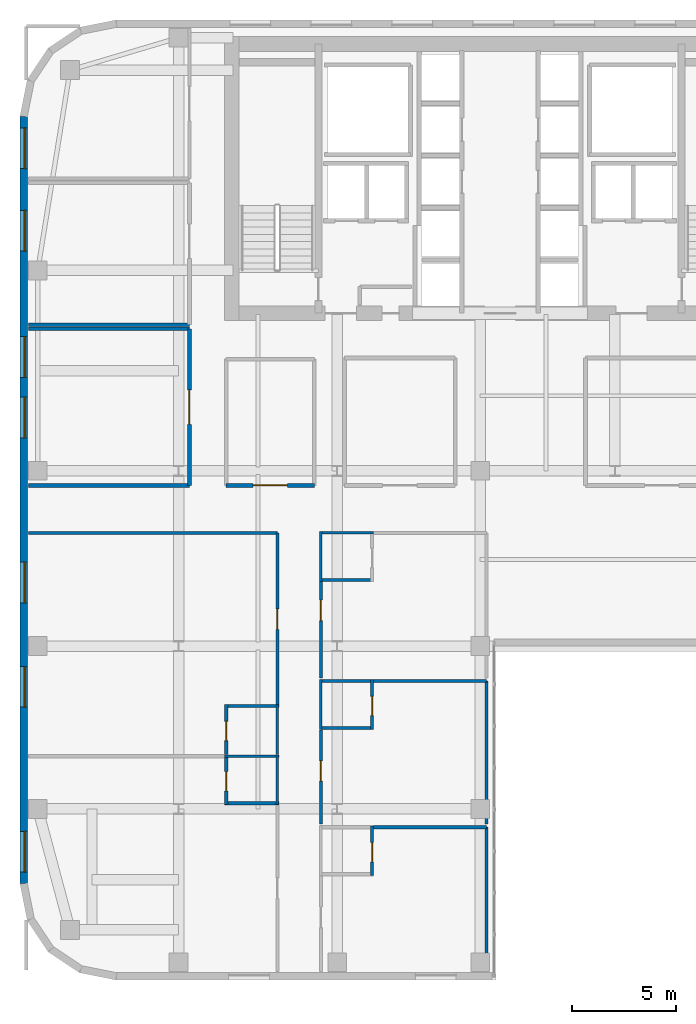
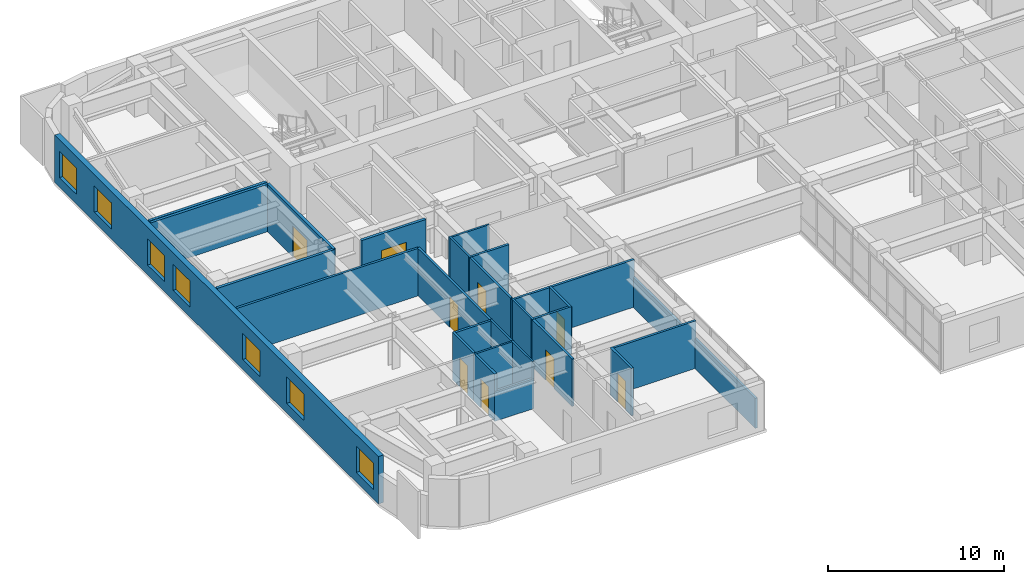
# One storey, part 9 of 15: 29 walls, 9 doors, 7 windows, 16 openings.
"""IFC4 building model written with IfcOpenShell, lengths in metres."""

from ifc_helpers import new_model, si_unit, direction, frame, frame_2d, origin, place, context, subcontext, project, spatial, rectangle, extrude, source, transform, mapped, material, layer, layer_set, type_object, type_shapes, element, fill, save


model = new_model("IFC4")

# Units and contexts
model_context = context("Model", 3, precision=1e-05, world=origin(), true_north=direction((0.0, 1.0)))
body_context = subcontext(model_context, "Body", "Model", "MODEL_VIEW")
ifc_project = project(units=[si_unit("LENGTHUNIT", "METRE"), si_unit("AREAUNIT", "SQUARE_METRE"), si_unit("VOLUMEUNIT", "CUBIC_METRE"), si_unit("PLANEANGLEUNIT", "RADIAN"), si_unit("MASSUNIT", "GRAM", prefix="KILO")], contexts=[model_context])

# Site, building, storey
site_placement = place(None, origin())
site = spatial("IfcSite", under=ifc_project, at=site_placement, CompositionType="ELEMENT")
building_placement = place(site_placement, origin())
building = spatial("IfcBuilding", under=site, at=building_placement, Name="Tolvann Quenvar Hotel", CompositionType="ELEMENT")
storey_placement = place(building_placement, frame((0.0, 0.0, 143.5)))
storey = spatial("IfcBuildingStorey", under=building, at=storey_placement, Name="L37", CompositionType="ELEMENT", Elevation=143.5)

# Wall, openings, windows
ifc_material_1 = material(Name="Kiln-fired red and buff architectural clay brickwork and terracotta masonry", Category="masonry")
ifc_layer_1 = layer(ifc_material_1, 0.35009765625)
ifc_layer_set_1 = layer_set([ifc_layer_1], Name="Kiln-fired red and buff architectural clay brickwork and terracotta masonry")
wall_type_1 = type_object("IfcWallType", Name="WALL_EXT_BRICK_350", PredefinedType="SOLIDWALL", material=ifc_layer_set_1)
wall_1_placement = place(storey_placement, frame((0.175048828125, 41.3828125, 0.0), z_axis=(0.0, 0.0, 1.0), x_axis=(0.0, -1.0, 0.0)))
wall_1 = element("IfcWall", 1, at=wall_1_placement, inside=storey, type_object=wall_type_1, Name="Exterior Chicago Brick Wall L37-E23", PredefinedType="SOLIDWALL", context=body_context, shape_type="SweptSolid", body=[
    extrude(rectangle(XDim=36.765625, YDim=0.35009765625, at=frame_2d((18.3828125, 0.0))), origin(), (0.0, 0.0, 1.0), 3.2900390625),
])
opening_1_placement = place(wall_1_placement, frame((0.551025390625, 0.0, 0.679931640625)))
opening_1 = element("IfcOpeningElement", 2, at=opening_1_placement, cuts=wall_1, Name="Opening W-10", PredefinedType="OPENING", context=body_context, shape_type="SweptSolid", body=[
    extrude(rectangle(XDim=1.949951171875, YDim=1.820068359375, at=frame_2d((0.97509765625, 0.91015625))), frame((0.0, 0.18505859375, 0.0), z_axis=(0.0, -1.0, 0.0), x_axis=(1.0, 0.0, 0.0)), (0.0, 0.0, 1.0), 0.3701171875),
])
opening_2_placement = place(wall_1_placement, frame((4.5029296875, 0.0, 0.679931640625)))
opening_2 = element("IfcOpeningElement", 3, at=opening_2_placement, cuts=wall_1, Name="Opening W-10", PredefinedType="OPENING", context=body_context, shape_type="SweptSolid", body=[
    extrude(rectangle(XDim=1.949951171875, YDim=1.820068359375, at=frame_2d((0.97509765625, 0.91015625))), frame((0.0, 0.18505859375, 0.0), z_axis=(0.0, -1.0, 0.0), x_axis=(1.0, 0.0, 0.0)), (0.0, 0.0, 1.0), 0.3701171875),
])
opening_3_placement = place(wall_1_placement, frame((10.553955078125, 0.0, 0.679931640625)))
opening_3 = element("IfcOpeningElement", 4, at=opening_3_placement, cuts=wall_1, Name="Opening W-10", PredefinedType="OPENING", context=body_context, shape_type="SweptSolid", body=[
    extrude(rectangle(XDim=1.949951171875, YDim=1.820068359375, at=frame_2d((0.97509765625, 0.91015625))), frame((0.0, 0.18505859375, 0.0), z_axis=(0.0, -1.0, 0.0), x_axis=(1.0, 0.0, 0.0)), (0.0, 0.0, 1.0), 0.3701171875),
])
opening_4_placement = place(wall_1_placement, frame((13.4560546875, 0.0, 0.679931640625)))
opening_4 = element("IfcOpeningElement", 5, at=opening_4_placement, cuts=wall_1, Name="Opening W-10", PredefinedType="OPENING", context=body_context, shape_type="SweptSolid", body=[
    extrude(rectangle(XDim=1.949951171875, YDim=1.820068359375, at=frame_2d((0.97509765625, 0.91015625))), frame((0.0, 0.18505859375, 0.0), z_axis=(0.0, -1.0, 0.0), x_axis=(1.0, 0.0, 0.0)), (0.0, 0.0, 1.0), 0.3701171875),
])
opening_5_placement = place(wall_1_placement, frame((21.360107421875, 0.0, 0.679931640625)))
opening_5 = element("IfcOpeningElement", 6, at=opening_5_placement, cuts=wall_1, Name="Opening W-10", PredefinedType="OPENING", context=body_context, shape_type="SweptSolid", body=[
    extrude(rectangle(XDim=1.949951171875, YDim=1.820068359375, at=frame_2d((0.97509765625, 0.91015625))), frame((0.0, 0.18505859375, 0.0), z_axis=(0.0, -1.0, 0.0), x_axis=(1.0, 0.0, 0.0)), (0.0, 0.0, 1.0), 0.3701171875),
])
opening_6_placement = place(wall_1_placement, frame((26.361083984375, 0.0, 0.679931640625)))
opening_6 = element("IfcOpeningElement", 7, at=opening_6_placement, cuts=wall_1, Name="Opening W-10", PredefinedType="OPENING", context=body_context, shape_type="SweptSolid", body=[
    extrude(rectangle(XDim=1.949951171875, YDim=1.820068359375, at=frame_2d((0.97509765625, 0.91015625))), frame((0.0, 0.18505859375, 0.0), z_axis=(0.0, -1.0, 0.0), x_axis=(1.0, 0.0, 0.0)), (0.0, 0.0, 1.0), 0.3701171875),
])
opening_7_placement = place(wall_1_placement, frame((34.264892578125, 0.0, 0.679931640625)))
opening_7 = element("IfcOpeningElement", 8, at=opening_7_placement, cuts=wall_1, Name="Opening W-10", PredefinedType="OPENING", context=body_context, shape_type="SweptSolid", body=[
    extrude(rectangle(XDim=1.949951171875, YDim=1.820068359375, at=frame_2d((0.97509765625, 0.91015625))), frame((0.0, 0.18505859375, 0.0), z_axis=(0.0, -1.0, 0.0), x_axis=(1.0, 0.0, 0.0)), (0.0, 0.0, 1.0), 0.3701171875),
])
ifc_material_2 = material(Name="Thermally broken bronze-anodised aluminium frame with double low-E glazing", Category="aluminium")
window_type = type_object("IfcWindowType", Name="WIN_CLB_1950x1850", PartitioningType="DOUBLE_PANEL_VERTICAL", PredefinedType="WINDOW", material=ifc_material_2)
shared_shape_1 = source(origin(), body_context, "Body", "SweptSolid", [
    extrude(rectangle(XDim=1.949951171875, YDim=1.820068359375, at=frame_2d((0.97509765625, 0.91015625))), frame((0.0, 0.090087890625, 0.0), z_axis=(0.0, -1.0, 0.0), x_axis=(1.0, 0.0, 0.0)), (0.0, 0.0, 1.0), 0.06005859375),
])
type_shapes(window_type, [shared_shape_1])
window_1_placement = place(opening_1_placement, origin())
window_1 = element("IfcWindow", 9, at=window_1_placement, inside=storey, type_object=window_type, Name="Chicago Window W-10 (EW-L37-E23-W01)", OverallHeight=1.820068359375, OverallWidth=1.949951171875, PartitioningType="DOUBLE_PANEL_VERTICAL", PredefinedType="WINDOW", context=body_context, shape_type="MappedRepresentation", body=[
    mapped(shared_shape_1, transform((0.0, 0.0, 0.0), x_axis=(1.0, 0.0, 0.0), y_axis=(0.0, 1.0, 0.0), z_axis=(0.0, 0.0, 1.0), scale=1.0)),
])
fill(opening_1, window_1)
window_2_placement = place(opening_2_placement, origin())
window_2 = element("IfcWindow", 10, at=window_2_placement, inside=storey, type_object=window_type, Name="Chicago Window W-10 (EW-L37-E23-W02)", OverallHeight=1.820068359375, OverallWidth=1.949951171875, PartitioningType="DOUBLE_PANEL_VERTICAL", PredefinedType="WINDOW", context=body_context, shape_type="MappedRepresentation", body=[
    mapped(shared_shape_1, transform((0.0, 0.0, 0.0), x_axis=(1.0, 0.0, 0.0), y_axis=(0.0, 1.0, 0.0), z_axis=(0.0, 0.0, 1.0), scale=1.0)),
])
fill(opening_2, window_2)
window_3_placement = place(opening_3_placement, origin())
window_3 = element("IfcWindow", 11, at=window_3_placement, inside=storey, type_object=window_type, Name="Chicago Window W-10 (EW-L37-E23-W03)", OverallHeight=1.820068359375, OverallWidth=1.949951171875, PartitioningType="DOUBLE_PANEL_VERTICAL", PredefinedType="WINDOW", context=body_context, shape_type="MappedRepresentation", body=[
    mapped(shared_shape_1, transform((0.0, 0.0, 0.0), x_axis=(1.0, 0.0, 0.0), y_axis=(0.0, 1.0, 0.0), z_axis=(0.0, 0.0, 1.0), scale=1.0)),
])
fill(opening_3, window_3)
window_4_placement = place(opening_4_placement, origin())
window_4 = element("IfcWindow", 12, at=window_4_placement, inside=storey, type_object=window_type, Name="Chicago Window W-10 (EW-L37-E23-W04)", OverallHeight=1.820068359375, OverallWidth=1.949951171875, PartitioningType="DOUBLE_PANEL_VERTICAL", PredefinedType="WINDOW", context=body_context, shape_type="MappedRepresentation", body=[
    mapped(shared_shape_1, transform((0.0, 0.0, 0.0), x_axis=(1.0, 0.0, 0.0), y_axis=(0.0, 1.0, 0.0), z_axis=(0.0, 0.0, 1.0), scale=1.0)),
])
fill(opening_4, window_4)
window_5_placement = place(opening_5_placement, origin())
window_5 = element("IfcWindow", 13, at=window_5_placement, inside=storey, type_object=window_type, Name="Chicago Window W-10 (EW-L37-E23-W05)", OverallHeight=1.820068359375, OverallWidth=1.949951171875, PartitioningType="DOUBLE_PANEL_VERTICAL", PredefinedType="WINDOW", context=body_context, shape_type="MappedRepresentation", body=[
    mapped(shared_shape_1, transform((0.0, 0.0, 0.0), x_axis=(1.0, 0.0, 0.0), y_axis=(0.0, 1.0, 0.0), z_axis=(0.0, 0.0, 1.0), scale=1.0)),
])
fill(opening_5, window_5)
window_6_placement = place(opening_6_placement, origin())
window_6 = element("IfcWindow", 14, at=window_6_placement, inside=storey, type_object=window_type, Name="Chicago Window W-10 (EW-L37-E23-W06)", OverallHeight=1.820068359375, OverallWidth=1.949951171875, PartitioningType="DOUBLE_PANEL_VERTICAL", PredefinedType="WINDOW", context=body_context, shape_type="MappedRepresentation", body=[
    mapped(shared_shape_1, transform((0.0, 0.0, 0.0), x_axis=(1.0, 0.0, 0.0), y_axis=(0.0, 1.0, 0.0), z_axis=(0.0, 0.0, 1.0), scale=1.0)),
])
fill(opening_6, window_6)
window_7_placement = place(opening_7_placement, origin())
window_7 = element("IfcWindow", 15, at=window_7_placement, inside=storey, type_object=window_type, Name="Chicago Window W-10 (EW-L37-E23-W07)", OverallHeight=1.820068359375, OverallWidth=1.949951171875, PartitioningType="DOUBLE_PANEL_VERTICAL", PredefinedType="WINDOW", context=body_context, shape_type="MappedRepresentation", body=[
    mapped(shared_shape_1, transform((0.0, 0.0, 0.0), x_axis=(1.0, 0.0, 0.0), y_axis=(0.0, 1.0, 0.0), z_axis=(0.0, 0.0, 1.0), scale=1.0)),
])
fill(opening_7, window_7)

# Walls
ifc_material_3 = material(Name="Acoustic twin-stud fire-rated gypsum plasterboard partition")
ifc_layer_2 = layer(ifc_material_3, 0.179931640625)
ifc_layer_set_2 = layer_set([ifc_layer_2], Name="Acoustic twin-stud fire-rated gypsum plasterboard partition")
wall_type_2 = type_object("IfcWallType", Name="WALL_PART_ACOUSTIC_180", PredefinedType="PARTITIONING", material=ifc_layer_set_2)
for number, where, z_axis, x_axis, name in (
    (16, (0.405029296875, 23.699951171875, 0.0), (0.0, 0.0, 1.0), (1.0, 0.0, 0.0), "Interior Partition PT-SPC-L37-SAL-S"),
    (17, (0.405029296875, 31.199951171875, 0.0), (0.0, 0.0, 1.0), (1.0, 0.0, 0.0), "Interior Partition PT-SPC-L37-SAL-N"),
):
    element("IfcWall", number, at=place(storey_placement, frame(where, z_axis=z_axis, x_axis=x_axis)), inside=storey, type_object=wall_type_2, Name=name, PredefinedType="PARTITIONING", context=body_context, shape_type="SweptSolid", body=[
        extrude(rectangle(XDim=7.715087890625, YDim=0.179931640625, at=frame_2d((3.857421875, 0.0))), origin(), (0.0, 0.0, 1.0), 3.2900390625),
    ])

# Wall, opening, door
wall_2_placement = place(storey_placement, frame((8.1201171875, 23.699951171875, 0.0), z_axis=(0.0, 0.0, 1.0), x_axis=(0.0, 1.0, 0.0)))
wall_2 = element("IfcWall", 18, at=wall_2_placement, inside=storey, type_object=wall_type_2, Name="Interior Partition PT-SPC-L37-SAL-E", PredefinedType="PARTITIONING", context=body_context, shape_type="SweptSolid", body=[
    extrude(rectangle(XDim=7.5, YDim=0.179931640625, at=frame_2d((3.75, 0.0))), origin(), (0.0, 0.0, 1.0), 3.2900390625),
])
opening_8_placement = place(wall_2_placement, frame((2.925048828125, 0.0, 0.0)))
opening_8 = element("IfcOpeningElement", 19, at=opening_8_placement, cuts=wall_2, Name="Opening AD-01", PredefinedType="OPENING", context=body_context, shape_type="SweptSolid", body=[
    extrude(rectangle(XDim=1.64990234375, YDim=2.14990234375, at=frame_2d((0.824951171875, 1.074951171875))), frame((0.0, 0.10009765625, 0.0), z_axis=(0.0, -1.0, 0.0), x_axis=(1.0, 0.0, 0.0)), (0.0, 0.0, 1.0), 0.199951171875),
])
ifc_material_4 = material(Name="Solid-core American oak acoustic fire door leaf in steel frame", Category="steel")
door_type_1 = type_object("IfcDoorType", Name="DOOR_SALON_1650", OperationType="NOTDEFINED", PredefinedType="DOOR", material=ifc_material_4)
shared_shape_2 = source(origin(), body_context, "Body", "SweptSolid", [
    extrude(rectangle(XDim=1.64990234375, YDim=2.14990234375, at=frame_2d((0.824951171875, 1.074951171875))), frame((0.0, 0.02490234375, 0.0), z_axis=(0.0, -1.0, 0.0), x_axis=(1.0, 0.0, 0.0)), (0.0, 0.0, 1.0), 0.050048828125),
])
type_shapes(door_type_1, [shared_shape_2])
door_1_placement = place(opening_8_placement, origin())
door_1 = element("IfcDoor", 20, at=door_1_placement, inside=storey, type_object=door_type_1, Name="Interior Door DOOR-SPC-L37-SAL", OperationType="DOUBLE_DOOR_SINGLE_SWING", OverallHeight=2.14990234375, OverallWidth=1.64990234375, PredefinedType="DOOR", context=body_context, shape_type="MappedRepresentation", body=[
    mapped(shared_shape_2, transform((0.0, 0.0, 0.0), x_axis=(1.0, 0.0, 0.0), y_axis=(0.0, 1.0, 0.0), z_axis=(0.0, 0.0, 1.0), scale=1.0)),
])
fill(opening_8, door_1)

# Wall
wall_3_placement = place(storey_placement, frame((0.405029296875, 31.39990234375, 0.0), z_axis=(0.0, 0.0, 1.0), x_axis=(1.0, 0.0, 0.0)))
element("IfcWall", 21, at=wall_3_placement, inside=storey, type_object=wall_type_2, Name="Interior Partition PT-SPC-L37-MTG-S", PredefinedType="PARTITIONING", context=body_context, shape_type="SweptSolid", body=[
    extrude(rectangle(XDim=7.715087890625, YDim=0.179931640625, at=frame_2d((3.857421875, 0.0))), origin(), (0.0, 0.0, 1.0), 3.2900390625),
])

# Wall, opening, door
wall_4_placement = place(storey_placement, frame((9.8798828125, 23.699951171875, 0.0), z_axis=(0.0, 0.0, 1.0), x_axis=(1.0, 0.0, 0.0)))
wall_4 = element("IfcWall", 22, at=wall_4_placement, inside=storey, type_object=wall_type_2, Name="Interior Partition PT-SPC-L37-MSP-W-S", PredefinedType="PARTITIONING", context=body_context, shape_type="SweptSolid", body=[
    extrude(rectangle(XDim=4.22021484375, YDim=0.179931640625, at=frame_2d((2.110107421875, 0.0))), origin(), (0.0, 0.0, 1.0), 3.2900390625),
])
opening_9_placement = place(wall_4_placement, frame((1.284912109375, 0.0, 0.0)))
opening_9 = element("IfcOpeningElement", 23, at=opening_9_placement, cuts=wall_4, Name="Opening AD-01", PredefinedType="OPENING", context=body_context, shape_type="SweptSolid", body=[
    extrude(rectangle(XDim=1.64990234375, YDim=2.14990234375, at=frame_2d((0.824951171875, 1.074951171875))), frame((0.0, 0.10009765625, 0.0), z_axis=(0.0, -1.0, 0.0), x_axis=(1.0, 0.0, 0.0)), (0.0, 0.0, 1.0), 0.199951171875),
])
door_2_placement = place(opening_9_placement, origin())
door_2 = element("IfcDoor", 24, at=door_2_placement, inside=storey, type_object=door_type_1, Name="Interior Door DOOR-SPC-L37-MSP-W", OperationType="DOUBLE_DOOR_SINGLE_SWING", OverallHeight=2.14990234375, OverallWidth=1.64990234375, PredefinedType="DOOR", context=body_context, shape_type="MappedRepresentation", body=[
    mapped(shared_shape_2, transform((0.0, 0.0, 0.0), x_axis=(1.0, 0.0, 0.0), y_axis=(0.0, 1.0, 0.0), z_axis=(0.0, 0.0, 1.0), scale=1.0)),
])
fill(opening_9, door_2)

# Walls
ifc_material_5 = material(Name="Moisture-resistant acoustic plumbing wall assembly")
ifc_layer_3 = layer(ifc_material_5, 0.1201171875)
ifc_layer_set_3 = layer_set([ifc_layer_3], Name="Moisture-resistant acoustic plumbing wall assembly")
wall_type_3 = type_object("IfcWallType", Name="WALL_PART_BATH_120", PredefinedType="PLUMBINGWALL", material=ifc_layer_set_3)
wall_5_placement = place(storey_placement, frame((9.81005859375, 10.719970703125, 0.0), z_axis=(0.0, 0.0, 1.0), x_axis=(1.0, 0.0, 0.0)))
element("IfcWall", 25, at=wall_5_placement, inside=storey, type_object=wall_type_3, Name="Non-Rated Plumbing Partition PT-SPC-L37-ENS-WO01-N", PredefinedType="PLUMBINGWALL", context=body_context, shape_type="SweptSolid", body=[
    extrude(rectangle(XDim=2.58984375, YDim=0.1201171875, at=frame_2d((1.294921875, 0.0))), origin(), (0.0, 0.0, 1.0), 3.2900390625),
])
wall_6_placement = place(storey_placement, frame((12.330078125, 8.39990234375, 0.0), z_axis=(0.0, 0.0, 1.0), x_axis=(0.0, 1.0, 0.0)))
element("IfcWall", 26, at=wall_6_placement, inside=storey, type_object=wall_type_3, Name="Non-Rated Plumbing Partition PT-SPC-L37-ENS-WO01-E", PredefinedType="PLUMBINGWALL", context=body_context, shape_type="SweptSolid", body=[
    extrude(rectangle(XDim=2.39013671875, YDim=0.1201171875, at=frame_2d((1.195068359375, 0.0))), origin(), (0.0, 0.0, 1.0), 3.2900390625),
])
for number, where, z_axis, x_axis, name in (
    (27, (12.330078125, 10.81005859375, 0.0), (0.0, 0.0, 1.0), (0.0, 1.0, 0.0), "Non-Rated Plumbing Partition PT-SPC-L37-ENS-WO02-E"),
    (28, (14.419921875, 12.0, 0.0), (0.0, 0.0, 1.0), (0.0, 1.0, 0.0), "Non-Rated Plumbing Partition PT-SPC-L37-ENS-WI02-W"),
):
    element("IfcWall", number, at=place(storey_placement, frame(where, z_axis=z_axis, x_axis=x_axis)), inside=storey, type_object=wall_type_3, Name=name, PredefinedType="PLUMBINGWALL", context=body_context, shape_type="SweptSolid", body=[
        extrude(rectangle(XDim=2.389892578125, YDim=0.1201171875, at=frame_2d((1.19482421875, 0.0))), origin(), (0.0, 0.0, 1.0), 3.2900390625),
    ])
wall_7_placement = place(storey_placement, frame((14.35009765625, 21.419921875, 0.0), z_axis=(0.0, 0.0, 1.0), x_axis=(1.0, 0.0, 0.0)))
element("IfcWall", 29, at=wall_7_placement, inside=storey, type_object=wall_type_3, Name="Non-Rated Plumbing Partition PT-SPC-L37-ENS-WI03-N", PredefinedType="PLUMBINGWALL", context=body_context, shape_type="SweptSolid", body=[
    extrude(rectangle(XDim=2.58984375, YDim=0.1201171875, at=frame_2d((1.294921875, 0.0))), origin(), (0.0, 0.0, 1.0), 3.2900390625),
])
wall_8_placement = place(storey_placement, frame((14.419921875, 19.10009765625, 0.0), z_axis=(0.0, 0.0, 1.0), x_axis=(0.0, 1.0, 0.0)))
element("IfcWall", 30, at=wall_8_placement, inside=storey, type_object=wall_type_3, Name="Non-Rated Plumbing Partition PT-SPC-L37-ENS-WI03-W", PredefinedType="PLUMBINGWALL", context=body_context, shape_type="SweptSolid", body=[
    extrude(rectangle(XDim=2.389892578125, YDim=0.1201171875, at=frame_2d((1.19482421875, 0.0))), origin(), (0.0, 0.0, 1.0), 3.2900390625),
])

# Wall, opening, door
ifc_layer_4 = layer(ifc_material_3, 0.14990234375)
ifc_layer_set_4 = layer_set([ifc_layer_4], Name="Acoustic twin-stud fire-rated gypsum plasterboard partition")
wall_type_4 = type_object("IfcWallType", Name="WALL_PART_SUITE_150", PredefinedType="PARTITIONING", material=ifc_layer_set_4)
wall_9_placement = place(storey_placement, frame((9.8798828125, 8.39990234375, 0.0), z_axis=(0.0, 0.0, 1.0), x_axis=(0.0, 1.0, 0.0)))
wall_9 = element("IfcWall", 31, at=wall_9_placement, inside=storey, type_object=wall_type_4, Name="Interior Partition PT-SPC-L37-ENS-WO01-ENT", PredefinedType="PARTITIONING", context=body_context, shape_type="SweptSolid", body=[
    extrude(rectangle(XDim=2.39013671875, YDim=0.14990234375, at=frame_2d((1.195068359375, 0.0))), origin(), (0.0, 0.0, 1.0), 3.2900390625),
])
opening_10_placement = place(wall_9_placement, frame((0.6650390625, 0.0, 0.0)))
opening_10 = element("IfcOpeningElement", 32, at=opening_10_placement, cuts=wall_9, Name="Opening WD-01", PredefinedType="OPENING", context=body_context, shape_type="SweptSolid", body=[
    extrude(rectangle(XDim=0.919921875, YDim=2.010009765625, at=frame_2d((0.4599609375, 1.0048828125))), frame((0.0, 0.0849609375, 0.0), z_axis=(0.0, -1.0, 0.0), x_axis=(1.0, 0.0, 0.0)), (0.0, 0.0, 1.0), 0.169921875),
])
door_type_2 = type_object("IfcDoorType", Name="DOOR_WC_920", OperationType="NOTDEFINED", PredefinedType="DOOR", material=ifc_material_4)
shared_shape_3 = source(origin(), body_context, "Body", "SweptSolid", [
    extrude(rectangle(XDim=0.919921875, YDim=2.010009765625, at=frame_2d((0.4599609375, 1.0048828125))), frame((0.0, 0.02490234375, 0.0), z_axis=(0.0, -1.0, 0.0), x_axis=(1.0, 0.0, 0.0)), (0.0, 0.0, 1.0), 0.050048828125),
])
type_shapes(door_type_2, [shared_shape_3])
door_3_placement = place(opening_10_placement, origin())
door_3 = element("IfcDoor", 33, at=door_3_placement, inside=storey, type_object=door_type_2, Name="Interior Door DOOR-SPC-L37-ENS-WO01", OperationType="SINGLE_SWING_LEFT", OverallHeight=2.010009765625, OverallWidth=0.919921875, PredefinedType="DOOR", context=body_context, shape_type="MappedRepresentation", body=[
    mapped(shared_shape_3, transform((0.0, 0.0, 0.0), x_axis=(1.0, 0.0, 0.0), y_axis=(0.0, 1.0, 0.0), z_axis=(0.0, 0.0, 1.0), scale=1.0)),
])
fill(opening_10, door_3)

# Wall
wall_10_placement = place(storey_placement, frame((9.81005859375, 8.469970703125, 0.0), z_axis=(0.0, 0.0, 1.0), x_axis=(1.0, 0.0, 0.0)))
element("IfcWall", 34, at=wall_10_placement, inside=storey, type_object=wall_type_4, Name="Interior Partition PT-SPC-L37-ENS-WO01-S", PredefinedType="PARTITIONING", context=body_context, shape_type="SweptSolid", body=[
    extrude(rectangle(XDim=2.58984375, YDim=0.14990234375, at=frame_2d((1.294921875, 0.0))), origin(), (0.0, 0.0, 1.0), 2.080078125),
])

# Wall, opening, door
wall_11_placement = place(storey_placement, frame((9.8798828125, 10.81005859375, 0.0), z_axis=(0.0, 0.0, 1.0), x_axis=(0.0, 1.0, 0.0)))
wall_11 = element("IfcWall", 35, at=wall_11_placement, inside=storey, type_object=wall_type_4, Name="Interior Partition PT-SPC-L37-ENS-WO02-ENT", PredefinedType="PARTITIONING", context=body_context, shape_type="SweptSolid", body=[
    extrude(rectangle(XDim=2.389892578125, YDim=0.14990234375, at=frame_2d((1.19482421875, 0.0))), origin(), (0.0, 0.0, 1.0), 3.2900390625),
])
opening_11_placement = place(wall_11_placement, frame((0.6650390625, 0.0, 0.0)))
opening_11 = element("IfcOpeningElement", 36, at=opening_11_placement, cuts=wall_11, Name="Opening WD-01", PredefinedType="OPENING", context=body_context, shape_type="SweptSolid", body=[
    extrude(rectangle(XDim=0.919921875, YDim=2.010009765625, at=frame_2d((0.4599609375, 1.0048828125))), frame((0.0, 0.0849609375, 0.0), z_axis=(0.0, -1.0, 0.0), x_axis=(1.0, 0.0, 0.0)), (0.0, 0.0, 1.0), 0.169921875),
])
door_4_placement = place(opening_11_placement, origin())
door_4 = element("IfcDoor", 37, at=door_4_placement, inside=storey, type_object=door_type_2, Name="Interior Door DOOR-SPC-L37-ENS-WO02", OperationType="SINGLE_SWING_RIGHT", OverallHeight=2.010009765625, OverallWidth=0.919921875, PredefinedType="DOOR", context=body_context, shape_type="MappedRepresentation", body=[
    mapped(shared_shape_3, transform((0.0, 0.0, 0.0), x_axis=(1.0, 0.0, 0.0), y_axis=(0.0, 1.0, 0.0), z_axis=(0.0, 0.0, 1.0), scale=1.0)),
])
fill(opening_11, door_4)

# Wall
wall_12_placement = place(storey_placement, frame((9.81005859375, 13.1298828125, 0.0), z_axis=(0.0, 0.0, 1.0), x_axis=(1.0, 0.0, 0.0)))
element("IfcWall", 38, at=wall_12_placement, inside=storey, type_object=wall_type_4, Name="Interior Partition PT-SPC-L37-ENS-WO02-N", PredefinedType="PARTITIONING", context=body_context, shape_type="SweptSolid", body=[
    extrude(rectangle(XDim=2.58984375, YDim=0.14990234375, at=frame_2d((1.294921875, 0.0))), origin(), (0.0, 0.0, 1.0), 3.2900390625),
])

# Wall, opening, door
wall_13_placement = place(storey_placement, frame((16.8701171875, 5.0, 0.0), z_axis=(0.0, 0.0, 1.0), x_axis=(0.0, 1.0, 0.0)))
wall_13 = element("IfcWall", 39, at=wall_13_placement, inside=storey, type_object=wall_type_4, Name="Interior Partition PT-SPC-L37-ENS-WI01-ENT", PredefinedType="PARTITIONING", context=body_context, shape_type="SweptSolid", body=[
    extrude(rectangle(XDim=2.389892578125, YDim=0.14990234375, at=frame_2d((1.19482421875, 0.0))), origin(), (0.0, 0.0, 1.0), 3.2900390625),
])
opening_12_placement = place(wall_13_placement, frame((0.6650390625, 0.0, 0.0)))
opening_12 = element("IfcOpeningElement", 40, at=opening_12_placement, cuts=wall_13, Name="Opening WD-01", PredefinedType="OPENING", context=body_context, shape_type="SweptSolid", body=[
    extrude(rectangle(XDim=0.919921875, YDim=2.010009765625, at=frame_2d((0.4599609375, 1.0048828125))), frame((0.0, 0.0849609375, 0.0), z_axis=(0.0, -1.0, 0.0), x_axis=(1.0, 0.0, 0.0)), (0.0, 0.0, 1.0), 0.169921875),
])
door_5_placement = place(opening_12_placement, origin())
door_5 = element("IfcDoor", 41, at=door_5_placement, inside=storey, type_object=door_type_2, Name="Interior Door DOOR-SPC-L37-ENS-WI01", OperationType="SINGLE_SWING_LEFT", OverallHeight=2.010009765625, OverallWidth=0.919921875, PredefinedType="DOOR", context=body_context, shape_type="MappedRepresentation", body=[
    mapped(shared_shape_3, transform((0.0, 0.0, 0.0), x_axis=(1.0, 0.0, 0.0), y_axis=(0.0, 1.0, 0.0), z_axis=(0.0, 0.0, 1.0), scale=1.0)),
])
fill(opening_12, door_5)

wall_14_placement = place(storey_placement, frame((16.8701171875, 12.0, 0.0), z_axis=(0.0, 0.0, 1.0), x_axis=(0.0, 1.0, 0.0)))
wall_14 = element("IfcWall", 42, at=wall_14_placement, inside=storey, type_object=wall_type_4, Name="Interior Partition PT-SPC-L37-ENS-WI02-ENT", PredefinedType="PARTITIONING", context=body_context, shape_type="SweptSolid", body=[
    extrude(rectangle(XDim=2.389892578125, YDim=0.14990234375, at=frame_2d((1.19482421875, 0.0))), origin(), (0.0, 0.0, 1.0), 3.2900390625),
])
opening_13_placement = place(wall_14_placement, frame((0.6650390625, 0.0, 0.0)))
opening_13 = element("IfcOpeningElement", 43, at=opening_13_placement, cuts=wall_14, Name="Opening WD-01", PredefinedType="OPENING", context=body_context, shape_type="SweptSolid", body=[
    extrude(rectangle(XDim=0.919921875, YDim=2.010009765625, at=frame_2d((0.4599609375, 1.0048828125))), frame((0.0, 0.0849609375, 0.0), z_axis=(0.0, -1.0, 0.0), x_axis=(1.0, 0.0, 0.0)), (0.0, 0.0, 1.0), 0.169921875),
])
door_6_placement = place(opening_13_placement, origin())
door_6 = element("IfcDoor", 44, at=door_6_placement, inside=storey, type_object=door_type_2, Name="Interior Door DOOR-SPC-L37-ENS-WI02", OperationType="SINGLE_SWING_RIGHT", OverallHeight=2.010009765625, OverallWidth=0.919921875, PredefinedType="DOOR", context=body_context, shape_type="MappedRepresentation", body=[
    mapped(shared_shape_3, transform((0.0, 0.0, 0.0), x_axis=(1.0, 0.0, 0.0), y_axis=(0.0, 1.0, 0.0), z_axis=(0.0, 0.0, 1.0), scale=1.0)),
])
fill(opening_13, door_6)

# Walls
for number, where, z_axis, x_axis, name in (
    (45, (14.35009765625, 12.070068359375, 0.0), (0.0, 0.0, 1.0), (1.0, 0.0, 0.0), "Interior Partition PT-SPC-L37-ENS-WI02-S"),
    (46, (14.35009765625, 14.320068359375, 0.0), (0.0, 0.0, 1.0), (1.0, 0.0, 0.0), "Interior Partition PT-SPC-L37-ENS-WI02-N"),
    (47, (14.35009765625, 19.169921875, 0.0), (0.0, 0.0, 1.0), (1.0, 0.0, 0.0), "Interior Partition PT-SPC-L37-ENS-WI03-S"),
):
    element("IfcWall", number, at=place(storey_placement, frame(where, z_axis=z_axis, x_axis=x_axis)), inside=storey, type_object=wall_type_4, Name=name, PredefinedType="PARTITIONING", context=body_context, shape_type="SweptSolid", body=[
        extrude(rectangle(XDim=2.58984375, YDim=0.14990234375, at=frame_2d((1.294921875, 0.0))), origin(), (0.0, 0.0, 1.0), 3.2900390625),
    ])

# Wall, opening, door
wall_15_placement = place(storey_placement, frame((12.330078125, 13.2099609375, 0.0), z_axis=(0.0, 0.0, 1.0), x_axis=(0.0, 1.0, 0.0)))
wall_15 = element("IfcWall", 48, at=wall_15_placement, inside=storey, type_object=wall_type_4, Name="Interior Partition PT-SPC-L37-RM-WO02-ENT", PredefinedType="PARTITIONING", context=body_context, shape_type="SweptSolid", body=[
    extrude(rectangle(XDim=8.2099609375, YDim=0.14990234375, at=frame_2d((4.10498046875, 0.0))), origin(), (0.0, 0.0, 1.0), 3.2900390625),
])
opening_14_placement = place(wall_15_placement, frame((3.594970703125, 0.0, 0.0)))
opening_14 = element("IfcOpeningElement", 49, at=opening_14_placement, cuts=wall_15, Name="Opening SD-01", PredefinedType="OPENING", context=body_context, shape_type="SweptSolid", body=[
    extrude(rectangle(XDim=0.97998046875, YDim=2.1201171875, at=frame_2d((0.489990234375, 1.06005859375))), frame((0.0, 0.0849609375, 0.0), z_axis=(0.0, -1.0, 0.0), x_axis=(1.0, 0.0, 0.0)), (0.0, 0.0, 1.0), 0.169921875),
])
door_type_3 = type_object("IfcDoorType", Name="DOOR_SUITE_980", OperationType="NOTDEFINED", PredefinedType="DOOR", material=ifc_material_4)
shared_shape_4 = source(origin(), body_context, "Body", "SweptSolid", [
    extrude(rectangle(XDim=0.97998046875, YDim=2.1201171875, at=frame_2d((0.489990234375, 1.06005859375))), frame((0.0, 0.02490234375, 0.0), z_axis=(0.0, -1.0, 0.0), x_axis=(1.0, 0.0, 0.0)), (0.0, 0.0, 1.0), 0.050048828125),
])
type_shapes(door_type_3, [shared_shape_4])
door_7_placement = place(opening_14_placement, origin())
door_7 = element("IfcDoor", 50, at=door_7_placement, inside=storey, type_object=door_type_3, Name="Interior Door DOOR-SPC-L37-RM-WO02", OperationType="SINGLE_SWING_RIGHT", OverallHeight=2.1201171875, OverallWidth=0.97998046875, PredefinedType="DOOR", context=body_context, shape_type="MappedRepresentation", body=[
    mapped(shared_shape_4, transform((0.0, 0.0, 0.0), x_axis=(1.0, 0.0, 0.0), y_axis=(0.0, 1.0, 0.0), z_axis=(0.0, 0.0, 1.0), scale=1.0)),
])
fill(opening_14, door_7)

# Walls
wall_16_placement = place(storey_placement, frame((0.405029296875, 21.419921875, 0.0), z_axis=(0.0, 0.0, 1.0), x_axis=(1.0, 0.0, 0.0)))
element("IfcWall", 51, at=wall_16_placement, inside=storey, type_object=wall_type_4, Name="Interior Partition PT-SPC-L37-RM-WO02-E5", PredefinedType="PARTITIONING", context=body_context, shape_type="SweptSolid", body=[
    extrude(rectangle(XDim=11.925048828125, YDim=0.14990234375, at=frame_2d((5.96240234375, 0.0))), origin(), (0.0, 0.0, 1.0), 3.2900390625),
])
wall_17_placement = place(storey_placement, frame((22.35009765625, 0.405029296875, 0.0), z_axis=(0.0, 0.0, 1.0), x_axis=(0.0, 1.0, 0.0)))
element("IfcWall", 52, at=wall_17_placement, inside=storey, type_object=wall_type_4, Name="Interior Partition PT-SPC-L37-RM-WI01-E2", PredefinedType="PARTITIONING", context=body_context, shape_type="SweptSolid", body=[
    extrude(rectangle(XDim=6.9150390625, YDim=0.14990234375, at=frame_2d((3.45751953125, 0.0))), origin(), (0.0, 0.0, 1.0), 2.080078125),
])
wall_18_placement = place(storey_placement, frame((16.889892578125, 7.320068359375, 0.0), z_axis=(0.0, 0.0, 1.0), x_axis=(1.0, 0.0, 0.0)))
element("IfcWall", 53, at=wall_18_placement, inside=storey, type_object=wall_type_4, Name="Interior Partition PT-SPC-L37-RM-WI01-E3", PredefinedType="PARTITIONING", context=body_context, shape_type="SweptSolid", body=[
    extrude(rectangle(XDim=5.460205078125, YDim=0.14990234375, at=frame_2d((2.72998046875, 0.0))), origin(), (0.0, 0.0, 1.0), 3.2900390625),
])

# Wall, opening, door
wall_19_placement = place(storey_placement, frame((14.419921875, 7.47998046875, 0.0), z_axis=(0.0, 0.0, 1.0), x_axis=(0.0, 1.0, 0.0)))
wall_19 = element("IfcWall", 54, at=wall_19_placement, inside=storey, type_object=wall_type_4, Name="Interior Partition PT-SPC-L37-RM-WI02-ENT", PredefinedType="PARTITIONING", context=body_context, shape_type="SweptSolid", body=[
    extrude(rectangle(XDim=4.510009765625, YDim=0.14990234375, at=frame_2d((2.2548828125, 0.0))), origin(), (0.0, 0.0, 1.0), 3.2900390625),
])
opening_15_placement = place(wall_19_placement, frame((2.044921875, 0.0, 0.0)))
opening_15 = element("IfcOpeningElement", 55, at=opening_15_placement, cuts=wall_19, Name="Opening SD-01", PredefinedType="OPENING", context=body_context, shape_type="SweptSolid", body=[
    extrude(rectangle(XDim=0.97998046875, YDim=2.1201171875, at=frame_2d((0.489990234375, 1.06005859375))), frame((0.0, 0.0849609375, 0.0), z_axis=(0.0, -1.0, 0.0), x_axis=(1.0, 0.0, 0.0)), (0.0, 0.0, 1.0), 0.169921875),
])
door_8_placement = place(opening_15_placement, origin())
door_8 = element("IfcDoor", 56, at=door_8_placement, inside=storey, type_object=door_type_3, Name="Interior Door DOOR-SPC-L37-RM-WI02", OperationType="SINGLE_SWING_RIGHT", OverallHeight=2.1201171875, OverallWidth=0.97998046875, PredefinedType="DOOR", context=body_context, shape_type="MappedRepresentation", body=[
    mapped(shared_shape_4, transform((0.0, 0.0, 0.0), x_axis=(1.0, 0.0, 0.0), y_axis=(0.0, 1.0, 0.0), z_axis=(0.0, 0.0, 1.0), scale=1.0)),
])
fill(opening_15, door_8)

# Walls
wall_20_placement = place(storey_placement, frame((22.35009765625, 7.47998046875, 0.0), z_axis=(0.0, 0.0, 1.0), x_axis=(0.0, 1.0, 0.0)))
element("IfcWall", 57, at=wall_20_placement, inside=storey, type_object=wall_type_4, Name="Interior Partition PT-SPC-L37-RM-WI02-E2", PredefinedType="PARTITIONING", context=body_context, shape_type="SweptSolid", body=[
    extrude(rectangle(XDim=6.840087890625, YDim=0.14990234375, at=frame_2d((3.419921875, 0.0))), origin(), (0.0, 0.0, 1.0), 2.080078125),
])
wall_21_placement = place(storey_placement, frame((16.889892578125, 14.320068359375, 0.0), z_axis=(0.0, 0.0, 1.0), x_axis=(1.0, 0.0, 0.0)))
element("IfcWall", 58, at=wall_21_placement, inside=storey, type_object=wall_type_4, Name="Interior Partition PT-SPC-L37-RM-WI02-E3", PredefinedType="PARTITIONING", context=body_context, shape_type="SweptSolid", body=[
    extrude(rectangle(XDim=5.460205078125, YDim=0.14990234375, at=frame_2d((2.72998046875, 0.0))), origin(), (0.0, 0.0, 1.0), 3.2900390625),
])

# Wall, opening, door
wall_22_placement = place(storey_placement, frame((14.419921875, 14.47998046875, 0.0), z_axis=(0.0, 0.0, 1.0), x_axis=(0.0, 1.0, 0.0)))
wall_22 = element("IfcWall", 59, at=wall_22_placement, inside=storey, type_object=wall_type_4, Name="Interior Partition PT-SPC-L37-RM-WI03-ENT", PredefinedType="PARTITIONING", context=body_context, shape_type="SweptSolid", body=[
    extrude(rectangle(XDim=4.610107421875, YDim=0.14990234375, at=frame_2d((2.30517578125, 0.0))), origin(), (0.0, 0.0, 1.0), 3.2900390625),
])
opening_16_placement = place(wall_22_placement, frame((2.7451171875, 0.0, 0.0)))
opening_16 = element("IfcOpeningElement", 60, at=opening_16_placement, cuts=wall_22, Name="Opening SD-01", PredefinedType="OPENING", context=body_context, shape_type="SweptSolid", body=[
    extrude(rectangle(XDim=0.97998046875, YDim=2.1201171875, at=frame_2d((0.489990234375, 1.06005859375))), frame((0.0, 0.0849609375, 0.0), z_axis=(0.0, -1.0, 0.0), x_axis=(1.0, 0.0, 0.0)), (0.0, 0.0, 1.0), 0.169921875),
])
door_9_placement = place(opening_16_placement, origin())
door_9 = element("IfcDoor", 61, at=door_9_placement, inside=storey, type_object=door_type_3, Name="Interior Door DOOR-SPC-L37-RM-WI03", OperationType="SINGLE_SWING_LEFT", OverallHeight=2.1201171875, OverallWidth=0.97998046875, PredefinedType="DOOR", context=body_context, shape_type="MappedRepresentation", body=[
    mapped(shared_shape_4, transform((0.0, 0.0, 0.0), x_axis=(1.0, 0.0, 0.0), y_axis=(0.0, 1.0, 0.0), z_axis=(0.0, 0.0, 1.0), scale=1.0)),
])
fill(opening_16, door_9)

save(model, "model.ifc")
